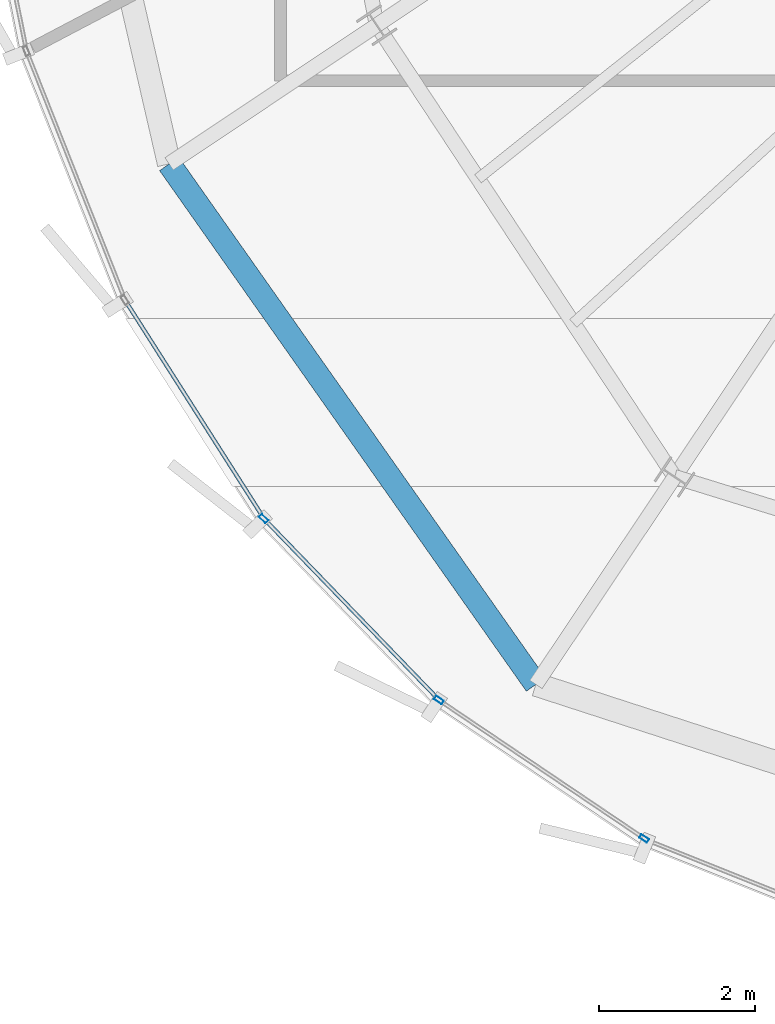
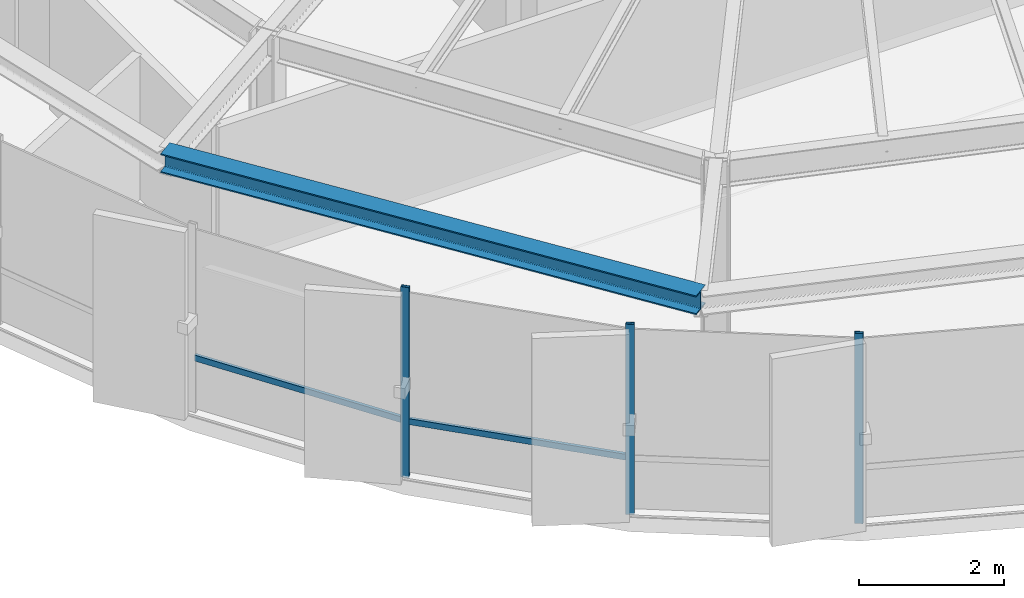
# One storey, part 2 of 31: 5 members, 1 beam, 1 element without a shape of its own.
"""IFC4 building model written with IfcOpenShell, lengths in metres."""

from ifc_helpers import new_model, si_unit, direction, frame, origin, origin_2d, place, context, subcontext, project, spatial, hollow_rectangle, i_section, extrude, source, transform, mapped, material, layer, layer_set, material_profile, profile_set, type_object, element, aggregate, save


model = new_model("IFC4")

# Units and contexts
model_context = context("Model", 3, precision=1e-05, world=origin(), true_north=direction((0.0, 1.0)))
body_context = subcontext(model_context, "Body", "Model", "MODEL_VIEW")
ifc_project = project(units=[si_unit("LENGTHUNIT", "METRE"), si_unit("AREAUNIT", "SQUARE_METRE"), si_unit("VOLUMEUNIT", "CUBIC_METRE"), si_unit("PLANEANGLEUNIT", "RADIAN"), si_unit("MASSUNIT", "GRAM", prefix="KILO"), si_unit("THERMODYNAMICTEMPERATUREUNIT", "KELVIN")], contexts=[model_context])

# Site, building, storey
site_placement = place(None, origin())
site = spatial("IfcSite", under=ifc_project, at=site_placement, CompositionType="ELEMENT")
building_placement = place(site_placement, origin())
building = spatial("IfcBuilding", under=site, at=building_placement, Name="Kethvar Cultural Tower", CompositionType="ELEMENT")
storey_placement = place(building_placement, frame((0.0, 0.0, 283.60009765625)))
storey = spatial("IfcBuildingStorey", under=building, at=storey_placement, Name="L75", CompositionType="ELEMENT", Elevation=283.60009765625)

# Beam
ifc_material_1 = material(Name="Steel S355J2", Category="steel")
ifc_material_profile_1 = material_profile(ifc_material_1, i_section(OverallWidth=0.300048828125, OverallDepth=0.320068359375, WebThickness=0.011474609375, FlangeThickness=0.0205078125, FilletRadius=0.027099609375, at=origin_2d()), Name="Steel S355J2 — HEB320")
ifc_profile_set_1 = profile_set([ifc_material_profile_1], Name="Steel S355J2 — HEB320")
beam_type = type_object("IfcBeamType", Name="BM-SP320", PredefinedType="SPANDREL", material=ifc_profile_set_1)
shared_shape_1 = source(origin(), body_context, "Body", "SweptSolid", [
    extrude(i_section(OverallWidth=0.300048828125, OverallDepth=0.320068359375, WebThickness=0.011474609375, FlangeThickness=0.0205078125, FilletRadius=0.027099609375, at=origin_2d()), origin(), (0.0, 0.0, 1.0), 8.16259765625),
])
beam_placement = place(storey_placement, frame((30.252197265625, 16.7431640625, 3.0478515625), z_axis=(0.575940812748, -0.817491394579, 0.0), x_axis=(0.817491394579, 0.575940812748, 0.0)))
element("IfcBeam", 1, at=beam_placement, inside=storey, type_object=beam_type, Name="L75 Perimeter Spandrel Beam SP-10", PredefinedType="SPANDREL", context=body_context, shape_type="MappedRepresentation", body=[
    mapped(shared_shape_1, transform((0.0, 0.0, 0.0), scale=1.0)),
])

# Curtain wall, members
ifc_material_2 = material(Name="Aluminium 6063-T6", Category="aluminium")
ifc_layer = layer(ifc_material_2, 0.179931640625, Name="Aluminium 6063-T6", Category="aluminium")
ifc_layer_set = layer_set([ifc_layer], Name="Aluminium 6063-T6 (180 mm)")
curtain_wall_type = type_object("IfcCurtainWallType", Name="CW-SYS-05-Z56", PredefinedType="NOTDEFINED", material=ifc_layer_set)
curtain_wall_placement = place(storey_placement, origin())
curtain_wall = element("IfcCurtainWall", 2, at=curtain_wall_placement, inside=storey, type_object=curtain_wall_type, Name="L75 Curtain Wall Run 03", PredefinedType="NOTDEFINED")
ifc_material_profile_2 = material_profile(ifc_material_2, hollow_rectangle(XDim=0.054931640625, YDim=0.1201171875, WallThickness=0.00390625, at=origin_2d()), Name="Aluminium 6063-T6 — RHS120x55x4")
ifc_profile_set_2 = profile_set([ifc_material_profile_2], Name="Aluminium 6063-T6 — RHS120x55x4")
member_type_1 = type_object("IfcMemberType", Name="CW-SYS-05-Z56-MUL", PredefinedType="MULLION", material=ifc_profile_set_2)
shared_shape_2 = source(origin(), body_context, "Body", "SweptSolid", [
    extrude(hollow_rectangle(XDim=0.054931640625, YDim=0.1201171875, WallThickness=0.00390625, at=origin_2d()), origin(), (0.0, 0.0, 1.0), 3.2099609375),
])
member_1_placement = place(storey_placement, frame((31.46435546875, 12.1982421875, 0.0), z_axis=(0.0, 0.0, 1.0), x_axis=(0.719339800339, 0.694658370459, 0.0)))
member_1 = element("IfcMember", 3, at=member_1_placement, type_object=member_type_1, Name="CW-L75-R03 Mullion 5", PredefinedType="MULLION", context=body_context, shape_type="MappedRepresentation", body=[
    mapped(shared_shape_2, transform((0.0, 0.0, 0.0), scale=1.0)),
])
member_2_placement = place(storey_placement, frame((33.708984375, 9.87060546875, 0.0), z_axis=(0.0, 0.0, 1.0), x_axis=(0.559091613251, 0.829105884669, 0.0)))
member_2 = element("IfcMember", 4, at=member_2_placement, type_object=member_type_1, Name="CW-L75-R03 Mullion 6", PredefinedType="MULLION", context=body_context, shape_type="MappedRepresentation", body=[
    mapped(shared_shape_2, transform((0.0, 0.0, 0.0), scale=1.0)),
])
member_3_placement = place(storey_placement, frame((36.339599609375, 8.096923828125, 0.0), z_axis=(0.0, 0.0, 1.0), x_axis=(0.559091613251, 0.829105884669, 0.0)))
member_3 = element("IfcMember", 5, at=member_3_placement, type_object=member_type_1, Name="CW-L75-R03 Mullion 7", PredefinedType="MULLION", context=body_context, shape_type="MappedRepresentation", body=[
    mapped(shared_shape_2, transform((0.0, 0.0, 0.0), scale=1.0)),
])
ifc_material_profile_3 = material_profile(ifc_material_2, hollow_rectangle(XDim=0.050048828125, YDim=0.10009765625, WallThickness=0.00390625, at=origin_2d()), Name="Aluminium 6063-T6 — RHS100x50x4")
ifc_profile_set_3 = profile_set([ifc_material_profile_3], Name="Aluminium 6063-T6 — RHS100x50x4")
member_type_2 = type_object("IfcMemberType", Name="CW-SYS-05-Z56-TRN", PredefinedType="USERDEFINED", material=ifc_profile_set_3)
shared_shape_3 = source(origin(), body_context, "Body", "SweptSolid", [
    extrude(hollow_rectangle(XDim=0.050048828125, YDim=0.10009765625, WallThickness=0.00390625, at=origin_2d()), origin(), (0.0, 0.0, 1.0), 3.260009765625),
])
member_4_placement = place(storey_placement, frame((29.70556640625, 14.96630859375, 0.949951171875), z_axis=(0.536807649417, -0.843704656576, 0.0), x_axis=(0.843704656576, 0.536807649417, 0.0)))
member_4 = element("IfcMember", 6, at=member_4_placement, type_object=member_type_2, Name="CW-L75-R03 Transom 4", ObjectType="TRANSOM", PredefinedType="USERDEFINED", context=body_context, shape_type="MappedRepresentation", body=[
    mapped(shared_shape_3, transform((0.0, 0.0, 0.0), scale=1.0)),
])
shared_shape_4 = source(origin(), body_context, "Body", "SweptSolid", [
    extrude(hollow_rectangle(XDim=0.050048828125, YDim=0.10009765625, WallThickness=0.00390625, at=origin_2d()), origin(), (0.0, 0.0, 1.0), 3.17529296875),
])
member_5_placement = place(storey_placement, frame((31.491943359375, 12.169921875, 0.949951171875), z_axis=(0.694619212545, -0.719377612637, 0.0), x_axis=(0.719377612637, 0.694619212545, 0.0)))
member_5 = element("IfcMember", 7, at=member_5_placement, type_object=member_type_2, Name="CW-L75-R03 Transom 5", ObjectType="TRANSOM", PredefinedType="USERDEFINED", context=body_context, shape_type="MappedRepresentation", body=[
    mapped(shared_shape_4, transform((0.0, 0.0, 0.0), scale=1.0)),
])
aggregate(curtain_wall, [member_1, member_2, member_3, member_4, member_5])

save(model, "model.ifc")
